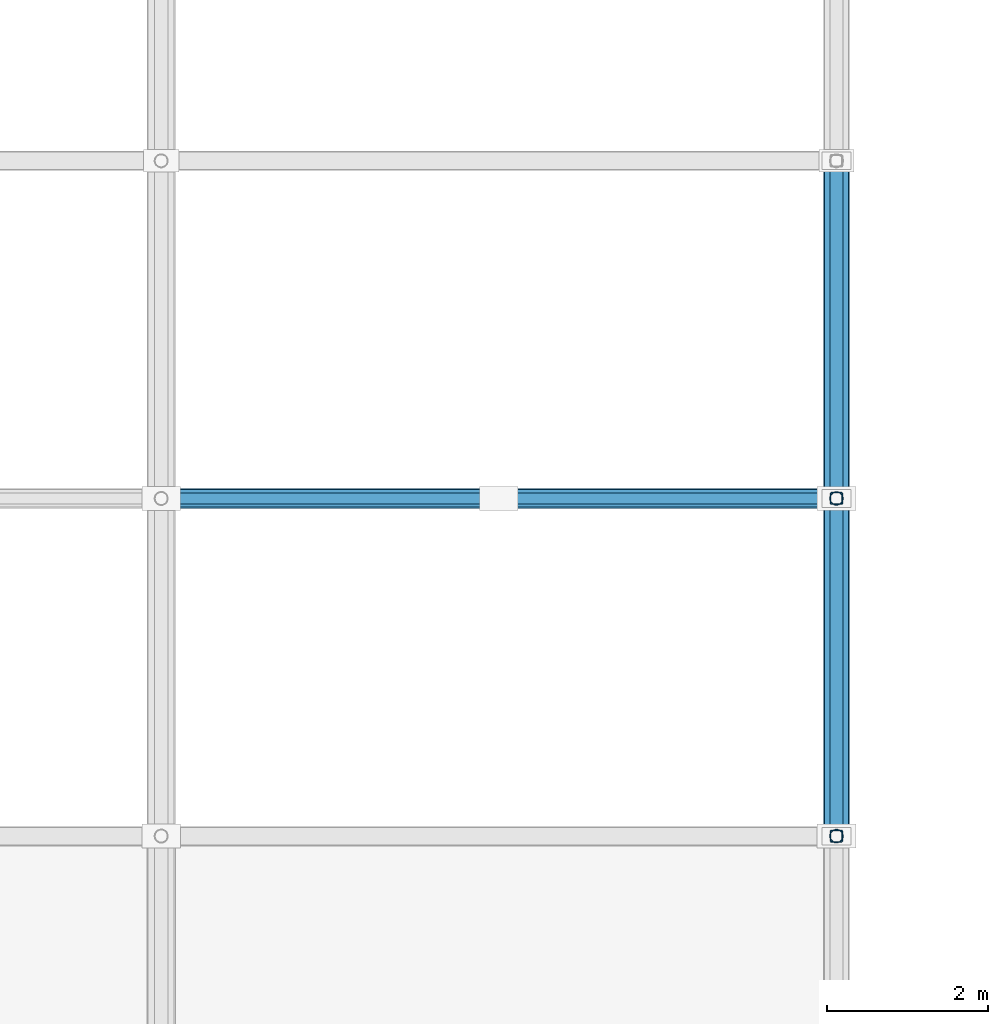
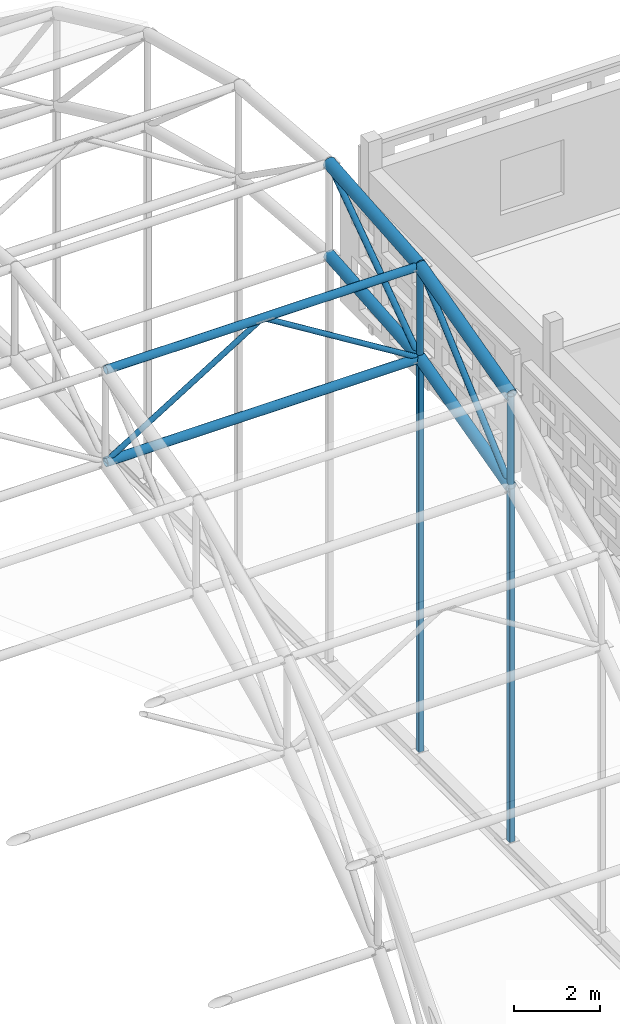
# One storey, part 57 of 103: 10 members, 4 beams.
"""IFC4 building model written with IfcOpenShell, lengths in metres."""

from ifc_helpers import new_model, si_unit, direction, frame, origin, origin_2d, place, context, subcontext, project, spatial, hollow_rectangle, hollow_circle, extrude, material, material_profile, profile_set, type_object, element, save


model = new_model("IFC4")

# Units and contexts
model_context = context("Model", 3, precision=1e-05, world=origin(), true_north=direction((0.0, 1.0)))
body_context = subcontext(model_context, "Body", "Model", "MODEL_VIEW")
ifc_project = project(units=[si_unit("LENGTHUNIT", "METRE"), si_unit("AREAUNIT", "SQUARE_METRE"), si_unit("VOLUMEUNIT", "CUBIC_METRE"), si_unit("PLANEANGLEUNIT", "RADIAN"), si_unit("MASSUNIT", "GRAM", prefix="KILO")], contexts=[model_context])

# Site, building, storey
site_placement = place(None, origin())
site = spatial("IfcSite", under=ifc_project, at=site_placement, CompositionType="ELEMENT")
building_placement = place(site_placement, origin())
building = spatial("IfcBuilding", under=site, at=building_placement, Name="Varnapada Polytechnic", CompositionType="ELEMENT")
storey_placement = place(building_placement, frame((0.0, 0.0, 18.0)))
storey = spatial("IfcBuildingStorey", under=building, at=storey_placement, Name="L04", CompositionType="ELEMENT", Elevation=18.0)

# Members
ifc_material = material(Name="Steel S355", Category="steel")
ifc_material_profile_1 = material_profile(ifc_material, hollow_rectangle(XDim=0.14990234375, YDim=0.14990234375, WallThickness=0.00634765625, InnerFilletRadius=0.006103515625, OuterFilletRadius=0.011962890625, at=origin_2d()), Name="SHS 150x150x6.3")
ifc_profile_set_1 = profile_set([ifc_material_profile_1], Name="Steel S355")
member_type_1 = type_object("IfcMemberType", Name="Sawtooth north-light mullion post SFP-02 (SHS 150x150x6.3)", PredefinedType="POST", material=ifc_profile_set_1)
member_1_placement = place(storey_placement, frame((134.39990234375, 96.60009765625, 0.0), z_axis=(0.0, 0.0, 1.0), x_axis=(1.0, 0.0, 0.0)))
element("IfcMember", 1, at=member_1_placement, inside=storey, type_object=member_type_1, Name="Workshop arch tympanum mullion E.3", PredefinedType="POST", context=body_context, shape_type="SweptSolid", body=[
    extrude(hollow_rectangle(XDim=0.14990234375, YDim=0.14990234375, WallThickness=0.00634765625, InnerFilletRadius=0.006103515625, OuterFilletRadius=0.011962890625, at=origin_2d()), origin(), (0.0, 0.0, 1.0), 9.98193359375),
])
member_2_placement = place(storey_placement, frame((134.39990234375, 100.800048828125, 0.0), z_axis=(0.0, 0.0, 1.0), x_axis=(1.0, 0.0, 0.0)))
element("IfcMember", 2, at=member_2_placement, inside=storey, type_object=member_type_1, Name="Workshop arch tympanum mullion E.4", PredefinedType="POST", context=body_context, shape_type="SweptSolid", body=[
    extrude(hollow_rectangle(XDim=0.14990234375, YDim=0.14990234375, WallThickness=0.00634765625, InnerFilletRadius=0.006103515625, OuterFilletRadius=0.011962890625, at=origin_2d()), origin(), (0.0, 0.0, 1.0), 11.080078125),
])

# Beams
ifc_material_profile_2 = material_profile(ifc_material, hollow_circle(Radius=0.149169921875, WallThickness=0.010009765625, at=origin_2d()), Name="CHS 298.5x10.0")
ifc_profile_set_2 = profile_set([ifc_material_profile_2], Name="Steel S355")
beam_type_1 = type_object("IfcBeamType", Name="Space frame end-bay arch rib VA-04 (CHS 298.5x10.0)", PredefinedType="BEAM", material=ifc_profile_set_2)
beam_1_placement = place(storey_placement, frame((134.39990234375, 96.60009765625, 9.98193359375), z_axis=(0.0, 0.967476176159, 0.252962148484), x_axis=(-1.0, 0.0, 0.0)))
element("IfcBeam", 3, at=beam_1_placement, inside=storey, type_object=beam_type_1, Name="Vaulted space frame bottom arch chord 11.4", PredefinedType="BEAM", context=body_context, shape_type="SweptSolid", body=[
    extrude(hollow_circle(Radius=0.149169921875, WallThickness=0.010009765625, at=origin_2d()), origin(), (0.0, 0.0, 1.0), 4.341064453125),
])
beam_2_placement = place(storey_placement, frame((134.39990234375, 100.800048828125, 11.080078125), z_axis=(0.0, 0.99644233396, 0.084277369988), x_axis=(-1.0, 0.0, 0.0)))
element("IfcBeam", 4, at=beam_2_placement, inside=storey, type_object=beam_type_1, Name="Vaulted space frame bottom arch chord 11.5", PredefinedType="BEAM", context=body_context, shape_type="SweptSolid", body=[
    extrude(hollow_circle(Radius=0.149169921875, WallThickness=0.010009765625, at=origin_2d()), origin(), (0.0, 0.0, 1.0), 4.21484375),
])

# Members
ifc_material_profile_3 = material_profile(ifc_material, hollow_circle(Radius=0.07958984375, WallThickness=0.00634765625, at=origin_2d()), Name="CHS 159.0x6.3")
ifc_profile_set_3 = profile_set([ifc_material_profile_3], Name="Steel S355")
member_type_2 = type_object("IfcMemberType", Name="Space frame perimeter web diagonal SFB-03 (CHS 159.0x6.3)", PredefinedType="BRACE", material=ifc_profile_set_3)
member_3_placement = place(storey_placement, frame((134.39990234375, 96.60009765625, 9.98193359375), z_axis=(0.0, 0.750532603682, 0.660833421378), x_axis=(-1.0, 0.0, 0.0)))
element("IfcMember", 5, at=member_3_placement, inside=storey, type_object=member_type_2, Name="Vaulted space frame web diagonal 11.4", PredefinedType="BRACE", context=body_context, shape_type="SweptSolid", body=[
    extrude(hollow_circle(Radius=0.07958984375, WallThickness=0.00634765625, at=origin_2d()), origin(), (0.0, 0.0, 1.0), 5.595947265625),
])
member_4_placement = place(storey_placement, frame((134.39990234375, 100.800048828125, 11.080078125), z_axis=(0.0, 0.817824649693, 0.575467498956), x_axis=(-1.0, 0.0, 0.0)))
element("IfcMember", 6, at=member_4_placement, inside=storey, type_object=member_type_2, Name="Vaulted space frame web diagonal 11.5", PredefinedType="BRACE", context=body_context, shape_type="SweptSolid", body=[
    extrude(hollow_circle(Radius=0.07958984375, WallThickness=0.00634765625, at=origin_2d()), origin(), (0.0, 0.0, 1.0), 5.135498046875),
])
ifc_material_profile_4 = material_profile(ifc_material, hollow_circle(Radius=0.122314453125, WallThickness=0.008056640625, at=origin_2d()), Name="CHS 244.5x8.0")
ifc_profile_set_4 = profile_set([ifc_material_profile_4], Name="Steel S355")
member_type_3 = type_object("IfcMemberType", Name="Vaulted space frame longitudinal bottom chord SFC-01 (CHS 244.5x8.0)", PredefinedType="CHORD", material=ifc_profile_set_4)
member_5_placement = place(storey_placement, frame((126.0, 100.800048828125, 11.080078125), z_axis=(1.0, 0.0, 0.0), x_axis=(0.0, 1.0, 0.0)))
element("IfcMember", 7, at=member_5_placement, inside=storey, type_object=member_type_3, Name="Vaulted space frame longitudinal bottom chord 10.5", PredefinedType="CHORD", context=body_context, shape_type="SweptSolid", body=[
    extrude(hollow_circle(Radius=0.122314453125, WallThickness=0.008056640625, at=origin_2d()), origin(), (0.0, 0.0, 1.0), 8.39990234375),
])
ifc_material_profile_5 = material_profile(ifc_material, hollow_circle(Radius=0.109619140625, WallThickness=0.008056640625, at=origin_2d()), Name="CHS 219.1x8.0")
ifc_profile_set_5 = profile_set([ifc_material_profile_5], Name="Steel S355")
member_type_4 = type_object("IfcMemberType", Name="Vaulted space frame longitudinal top chord SFC-02 (CHS 219.1x8.0)", PredefinedType="CHORD", material=ifc_profile_set_5)
member_6_placement = place(storey_placement, frame((126.0, 100.800048828125, 13.679931640625), z_axis=(1.0, 0.0, 0.0), x_axis=(0.0, 1.0, 0.0)))
element("IfcMember", 8, at=member_6_placement, inside=storey, type_object=member_type_4, Name="Vaulted space frame longitudinal top chord 10.5", PredefinedType="CHORD", context=body_context, shape_type="SweptSolid", body=[
    extrude(hollow_circle(Radius=0.109619140625, WallThickness=0.008056640625, at=origin_2d()), origin(), (0.0, 0.0, 1.0), 8.39990234375),
])
ifc_material_profile_6 = material_profile(ifc_material, hollow_circle(Radius=0.084228515625, WallThickness=0.00634765625, at=origin_2d()), Name="CHS 168.3x6.3")
ifc_profile_set_6 = profile_set([ifc_material_profile_6], Name="Steel S355")
member_type_5 = type_object("IfcMemberType", Name="Vaulted space frame radial web strut SFS-01 (CHS 168.3x6.3)", PredefinedType="STRUT", material=ifc_profile_set_6)
for number, where, z_axis, x_axis, name in (
    (9, (134.39990234375, 96.60009765625, 9.98193359375), (0.0, 0.0, 1.0), (1.0, 0.0, 0.0), "Vaulted space frame strut 11.4"),
    (10, (134.39990234375, 100.800048828125, 11.080078125), (0.0, 0.0, 1.0), (1.0, 0.0, 0.0), "Vaulted space frame strut 11.5"),
):
    element("IfcMember", number, at=place(storey_placement, frame(where, z_axis=z_axis, x_axis=x_axis)), inside=storey, type_object=member_type_5, Name=name, PredefinedType="STRUT", context=body_context, shape_type="SweptSolid", body=[
        extrude(hollow_circle(Radius=0.084228515625, WallThickness=0.00634765625, at=origin_2d()), origin(), (0.0, 0.0, 1.0), 2.599853515625),
    ])
ifc_material_profile_7 = material_profile(ifc_material, hollow_circle(Radius=0.06982421875, WallThickness=0.0048828125, at=origin_2d()), Name="CHS 139.7x5.0")
ifc_profile_set_7 = profile_set([ifc_material_profile_7], Name="Steel S355")
member_type_6 = type_object("IfcMemberType", Name="Vaulted space frame secondary web diagonal SFB-02 (CHS 139.7x5.0)", PredefinedType="BRACE", material=ifc_profile_set_7)
for number, where, z_axis, x_axis, name in (
    (11, (126.0, 100.800048828125, 11.080078125), (0.85027567993, 0.0, 0.526337598999), (0.0, 1.0, 0.0), "Vaulted space frame longitudinal brace 10.5A"),
    (12, (134.39990234375, 100.800048828125, 11.080078125), (-0.85027567993, 0.0, 0.526337598999), (0.0, -1.0, 0.0), "Vaulted space frame longitudinal brace 10.5B"),
):
    element("IfcMember", number, at=place(storey_placement, frame(where, z_axis=z_axis, x_axis=x_axis)), inside=storey, type_object=member_type_6, Name=name, PredefinedType="BRACE", context=body_context, shape_type="SweptSolid", body=[
        extrude(hollow_circle(Radius=0.06982421875, WallThickness=0.0048828125, at=origin_2d()), origin(), (0.0, 0.0, 1.0), 4.939453125),
    ])

# Beams
ifc_material_profile_8 = material_profile(ifc_material, hollow_circle(Radius=0.161865234375, WallThickness=0.010009765625, at=origin_2d()), Name="CHS 323.9x10.0")
ifc_profile_set_8 = profile_set([ifc_material_profile_8], Name="Steel S355")
beam_type_2 = type_object("IfcBeamType", Name="Vaulted space frame upper arch rib VA-02 (CHS 323.9x10.0)", PredefinedType="BEAM", material=ifc_profile_set_8)
beam_3_placement = place(storey_placement, frame((134.39990234375, 96.60009765625, 12.581787109375), z_axis=(0.0, 0.967476176159, 0.252962148484), x_axis=(-1.0, 0.0, 0.0)))
element("IfcBeam", 13, at=beam_3_placement, inside=storey, type_object=beam_type_2, Name="Vaulted space frame top arch chord 11.4", PredefinedType="BEAM", context=body_context, shape_type="SweptSolid", body=[
    extrude(hollow_circle(Radius=0.161865234375, WallThickness=0.010009765625, at=origin_2d()), origin(), (0.0, 0.0, 1.0), 4.341064453125),
])
beam_4_placement = place(storey_placement, frame((134.39990234375, 100.800048828125, 13.679931640625), z_axis=(0.0, 0.996437468128, 0.084334880753), x_axis=(-1.0, 0.0, 0.0)))
element("IfcBeam", 14, at=beam_4_placement, inside=storey, type_object=beam_type_2, Name="Vaulted space frame top arch chord 11.5", PredefinedType="BEAM", context=body_context, shape_type="SweptSolid", body=[
    extrude(hollow_circle(Radius=0.161865234375, WallThickness=0.010009765625, at=origin_2d()), origin(), (0.0, 0.0, 1.0), 4.215087890625),
])

save(model, "model.ifc")
